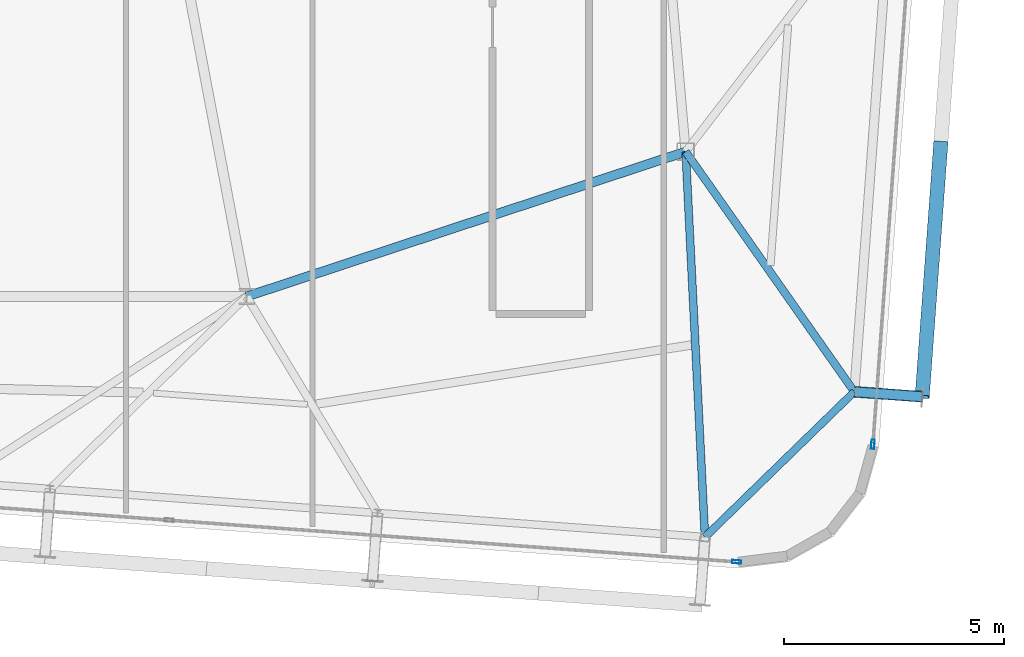
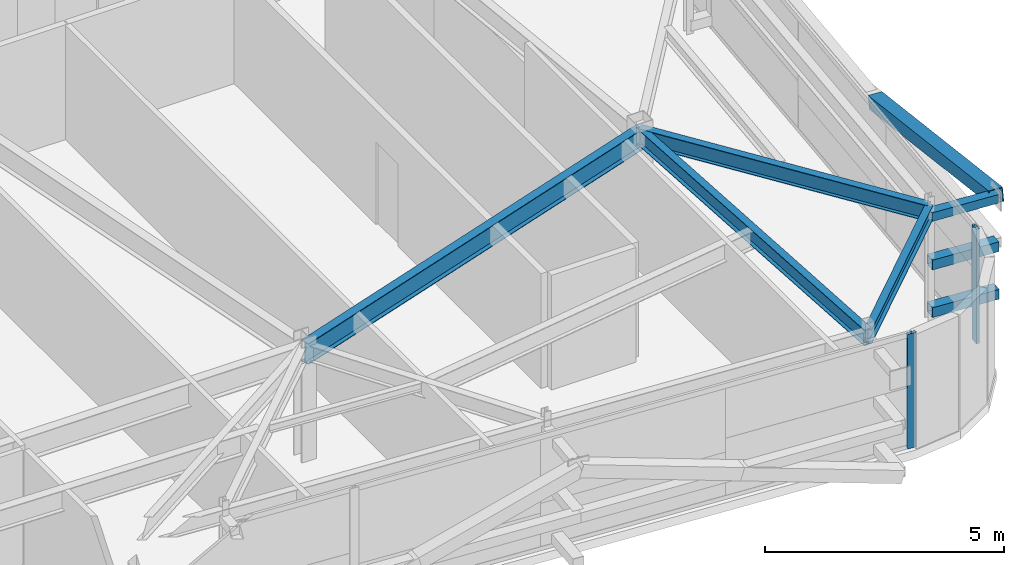
# One storey, part 15 of 34: 6 members, 4 beams, 2 elements without a shape of their own.
"""IFC4 building model written with IfcOpenShell, lengths in metres."""

from ifc_helpers import new_model, si_unit, direction, frame, origin, origin_2d, place, context, subcontext, project, spatial, hollow_rectangle, i_section, extrude, source, transform, mapped, material, layer, layer_set, material_profile, profile_set, type_object, element, aggregate, save


model = new_model("IFC4")

# Units and contexts
model_context = context("Model", 3, precision=1e-05, world=origin(), true_north=direction((0.0, 1.0)))
body_context = subcontext(model_context, "Body", "Model", "MODEL_VIEW")
ifc_project = project(units=[si_unit("LENGTHUNIT", "METRE"), si_unit("AREAUNIT", "SQUARE_METRE"), si_unit("VOLUMEUNIT", "CUBIC_METRE"), si_unit("PLANEANGLEUNIT", "RADIAN"), si_unit("MASSUNIT", "GRAM", prefix="KILO")], contexts=[model_context])

# Site, building, storey
site_placement = place(None, origin())
site = spatial("IfcSite", under=ifc_project, at=site_placement, CompositionType="ELEMENT")
building_placement = place(site_placement, origin())
building = spatial("IfcBuilding", under=site, at=building_placement, Name="Taldren Reach Tower", CompositionType="ELEMENT")
storey_placement = place(building_placement, frame((0.0, 0.0, 239.75)))
storey = spatial("IfcBuildingStorey", under=building, at=storey_placement, Name="L73", CompositionType="ELEMENT", Elevation=239.75)

# Beams
ifc_material_1 = material(Name="Steel Gr 350 (350PLUS)", Category="steel")
ifc_material_profile_1 = material_profile(ifc_material_1, i_section(OverallWidth=0.208984375, OverallDepth=0.532958984375, WebThickness=0.01025390625, FlangeThickness=0.015625, at=origin_2d()), Name="530UB92.4")
ifc_profile_set_1 = profile_set([ifc_material_profile_1], Name="Steel Gr 350 (350PLUS)")
beam_type_1 = type_object("IfcBeamType", Name="BM-UB530A", PredefinedType="BEAM", material=ifc_profile_set_1)
shared_shape_1 = source(origin(), body_context, "Body", "SweptSolid", [
    extrude(i_section(OverallWidth=0.208984375, OverallDepth=0.532958984375, WebThickness=0.01025390625, FlangeThickness=0.015625, at=origin_2d()), origin(), (0.0, 0.0, 1.0), 10.530517578125),
])
beam_1_placement = place(storey_placement, frame((42.0, 9.199951171875, 2.66357421875), z_axis=(0.949627269203, 0.313381635689, 0.0), x_axis=(-0.313381635689, 0.949627269203, 0.0)))
element("IfcBeam", 1, at=beam_1_placement, inside=storey, type_object=beam_type_1, Name="Core-spine girder L73-SP12", PredefinedType="BEAM", context=body_context, shape_type="MappedRepresentation", body=[
    mapped(shared_shape_1, transform((0.0, 0.0, 0.0), scale=1.0)),
])
ifc_material_profile_2 = material_profile(ifc_material_1, i_section(OverallWidth=0.172119140625, OverallDepth=0.35888671875, WebThickness=0.008056640625, FlangeThickness=0.012939453125, at=origin_2d()), Name="360UB56.7")
ifc_profile_set_2 = profile_set([ifc_material_profile_2], Name="Steel Gr 350 (350PLUS)")
beam_type_2 = type_object("IfcBeamType", Name="SP-UB360", PredefinedType="SPANDREL", material=ifc_profile_set_2)
shared_shape_2 = source(origin(), body_context, "Body", "SweptSolid", [
    extrude(i_section(OverallWidth=0.172119140625, OverallDepth=0.35888671875, WebThickness=0.008056640625, FlangeThickness=0.012939453125, at=origin_2d()), origin(), (0.0, 0.0, 1.0), 4.74609375),
])
beam_2_placement = place(storey_placement, frame((52.440185546875, 3.72119140625, 2.75048828125), z_axis=(0.716711338436, 0.697369957309, 0.0), x_axis=(-0.697369957309, 0.716711338436, 0.0)))
element("IfcBeam", 2, at=beam_2_placement, inside=storey, type_object=beam_type_2, Name="Perimeter spandrel B5 S6-E1 L73", PredefinedType="SPANDREL", context=body_context, shape_type="MappedRepresentation", body=[
    mapped(shared_shape_2, transform((0.0, 0.0, 0.0), scale=1.0)),
])
ifc_material_profile_3 = material_profile(ifc_material_1, i_section(OverallWidth=0.177978515625, OverallDepth=0.406005859375, WebThickness=0.0078125, FlangeThickness=0.0126953125, at=origin_2d()), Name="410UB59.7")
ifc_profile_set_3 = profile_set([ifc_material_profile_3], Name="Steel Gr 350 (350PLUS)")
beam_type_3 = type_object("IfcBeamType", Name="BM-UB410", PredefinedType="BEAM", material=ifc_profile_set_3)
shared_shape_3 = source(origin(), body_context, "Body", "SweptSolid", [
    extrude(i_section(OverallWidth=0.177978515625, OverallDepth=0.406005859375, WebThickness=0.0078125, FlangeThickness=0.0126953125, at=origin_2d()), origin(), (0.0, 0.0, 1.0), 8.789794921875),
])
beam_3_placement = place(storey_placement, frame((52.0, 12.5, 2.72705078125), z_axis=(0.050078917367, -0.998745263836, 0.0), x_axis=(0.998745263836, 0.050078917367, 0.0)))
element("IfcBeam", 3, at=beam_3_placement, inside=storey, type_object=beam_type_3, Name="Primary floor girder B5-S6 L73", PredefinedType="BEAM", context=body_context, shape_type="MappedRepresentation", body=[
    mapped(shared_shape_3, transform((0.0, 0.0, 0.0), scale=1.0)),
])
shared_shape_4 = source(origin(), body_context, "Body", "SweptSolid", [
    extrude(i_section(OverallWidth=0.177978515625, OverallDepth=0.406005859375, WebThickness=0.0078125, FlangeThickness=0.0126953125, at=origin_2d()), origin(), (0.0, 0.0, 1.0), 6.68359375),
])
beam_4_placement = place(storey_placement, frame((52.0, 12.5, 2.72705078125), z_axis=(0.574817292651, -0.818281785249, 0.0), x_axis=(0.818281785249, 0.574817292651, 0.0)))
element("IfcBeam", 4, at=beam_4_placement, inside=storey, type_object=beam_type_3, Name="Primary floor girder B5-E1 L73", PredefinedType="BEAM", context=body_context, shape_type="MappedRepresentation", body=[
    mapped(shared_shape_4, transform((0.0, 0.0, 0.0), scale=1.0)),
])

# Members
ifc_material_2 = material(Name="Steel Gr 450 (C450L0)", Category="steel")
ifc_material_profile_4 = material_profile(ifc_material_2, hollow_rectangle(XDim=0.219970703125, YDim=0.219970703125, WallThickness=0.00830078125, at=origin_2d()), Name="220x220x8.2SHS")
ifc_profile_set_4 = profile_set([ifc_material_profile_4], Name="Steel Gr 450 (C450L0)")
member_type_1 = type_object("IfcMemberType", Name="MB-TIE219", PredefinedType="STRUT", material=ifc_profile_set_4)
shared_shape_5 = source(origin(), body_context, "Body", "SweptSolid", [
    extrude(hollow_rectangle(XDim=0.219970703125, YDim=0.219970703125, WallThickness=0.00830078125, at=origin_2d()), origin(), (0.0, 0.0, 1.0), 1.546142578125),
])
member_1_placement = place(storey_placement, frame((55.845703125, 7.030517578125, 2.64990234375), z_axis=(0.997323903953, -0.073109716202, 0.0), x_axis=(0.073109716202, 0.997323903953, 0.0)))
element("IfcMember", 5, at=member_1_placement, inside=storey, type_object=member_type_1, Name="Exoskeleton diaphragm tie strut B5-E1 L73", PredefinedType="STRUT", context=body_context, shape_type="MappedRepresentation", body=[
    mapped(shared_shape_5, transform((0.0, 0.0, 0.0), scale=1.0)),
])
ifc_material_profile_5 = material_profile(ifc_material_2, hollow_rectangle(XDim=0.324951171875, YDim=0.324951171875, WallThickness=0.0126953125, at=origin_2d()), Name="325x325x12.7SHS")
ifc_profile_set_5 = profile_set([ifc_material_profile_5], Name="Steel Gr 450 (C450L0)")
member_type_2 = type_object("IfcMemberType", Name="MB-BR324", PredefinedType="BRACE", material=ifc_profile_set_5)
shared_shape_6 = source(origin(), body_context, "Body", "SweptSolid", [
    extrude(hollow_rectangle(XDim=0.324951171875, YDim=0.324951171875, WallThickness=0.0126953125, at=origin_2d()), origin(), (0.0, 0.0, 1.0), 5.92578125),
])
member_2_placement = place(storey_placement, frame((57.812255859375, 12.701904296875, 1.43505859375), z_axis=(-0.071645553297, -0.976134614303, 0.205007632667), x_axis=(0.997317259472, -0.073200300267, 0.0)))
element("IfcMember", 6, at=member_2_placement, inside=storey, type_object=member_type_2, Name="Exoskeleton Diagrid Brace B5-E1 L73", PredefinedType="BRACE", context=body_context, shape_type="MappedRepresentation", body=[
    mapped(shared_shape_6, transform((0.0, 0.0, 0.0), scale=1.0)),
])
ifc_material_3 = material(Name="Steel Gr 350 (C350L0)", Category="steel")
ifc_material_profile_6 = material_profile(ifc_material_3, hollow_rectangle(XDim=0.25, YDim=0.25, WallThickness=0.010009765625, at=origin_2d()), Name="250x250x10.0SHS")
ifc_profile_set_6 = profile_set([ifc_material_profile_6], Name="Steel Gr 350 (C350L0)")
member_type_3 = type_object("IfcMemberType", Name="MB-POST250", PredefinedType="POST", material=ifc_profile_set_6)
shared_shape_7 = source(origin(), body_context, "Body", "SweptSolid", [
    extrude(hollow_rectangle(XDim=0.25, YDim=0.25, WallThickness=0.010009765625, at=origin_2d()), origin(), (0.0, 0.0, 1.0), 1.546142578125),
])
for number, where, z_axis, x_axis, name in (
    (7, (55.845703125, 7.030517578125, 0.219970703125), (0.997323903953, -0.073109716202, 0.0), (0.073109716202, 0.997323903953, 0.0), "Exoskeleton base diaphragm tie strut B5-E1 L73"),
    (8, (55.845703125, 7.030517578125, 1.43505859375), (0.997323903953, -0.073109716202, 0.0), (0.073109716202, 0.997323903953, 0.0), "Exoskeleton mid-tier diaphragm tie B5-E1 L73"),
):
    element("IfcMember", number, at=place(storey_placement, frame(where, z_axis=z_axis, x_axis=x_axis)), inside=storey, type_object=member_type_3, Name=name, PredefinedType="POST", context=body_context, shape_type="MappedRepresentation", body=[
        mapped(shared_shape_7, transform((0.0, 0.0, 0.0), scale=1.0)),
    ])

# Curtain wall, member
ifc_material_4 = material(Name="Aluminium and Low-E Glass Unitised System", Category="aluminium")
ifc_layer = layer(ifc_material_4, 0.159912109375)
ifc_layer_set = layer_set([ifc_layer], Name="Aluminium and Low-E Glass Unitised System")
curtain_wall_type = type_object("IfcCurtainWallType", Name="CW-SYS-6", PredefinedType="NOTDEFINED", material=ifc_layer_set)
curtain_wall_1_placement = place(storey_placement, origin())
curtain_wall_1 = element("IfcCurtainWall", 9, at=curtain_wall_1_placement, inside=storey, type_object=curtain_wall_type, Name="Unitised curtain wall CW-L73-S", PredefinedType="NOTDEFINED")
ifc_material_5 = material(Name="Anodised Aluminium 6063-T6", Category="aluminium")
ifc_material_profile_7 = material_profile(ifc_material_5, hollow_rectangle(XDim=0.074951171875, YDim=0.2099609375, WallThickness=0.00439453125, at=origin_2d()), Name="ALU-210x75x4.5RHS")
ifc_profile_set_7 = profile_set([ifc_material_profile_7], Name="Anodised Aluminium 6063-T6")
member_type_4 = type_object("IfcMemberType", Name="CW-MUL-200", PredefinedType="MULLION", material=ifc_profile_set_7)
shared_shape_8 = source(origin(), body_context, "Body", "SweptSolid", [
    extrude(hollow_rectangle(XDim=0.074951171875, YDim=0.2099609375, WallThickness=0.00439453125, at=origin_2d()), origin(), (0.0, 0.0, 1.0), 2.929931640625),
])
member_3_placement = place(storey_placement, frame((53.163330078125, 3.15673828125, 0.0), z_axis=(0.0, 0.0, 1.0), x_axis=(0.073238213716, 0.997314476006, 0.0)))
member_3 = element("IfcMember", 10, at=member_3_placement, type_object=member_type_4, Name="CW-6 mullion 4", PredefinedType="MULLION", context=body_context, shape_type="MappedRepresentation", body=[
    mapped(shared_shape_8, transform((0.0, 0.0, 0.0), scale=1.0)),
])
aggregate(curtain_wall_1, [member_3])

curtain_wall_2_placement = place(storey_placement, origin())
curtain_wall_2 = element("IfcCurtainWall", 11, at=curtain_wall_2_placement, inside=storey, type_object=curtain_wall_type, Name="Unitised curtain wall CW-L73-E", PredefinedType="NOTDEFINED")
member_4_placement = place(storey_placement, frame((56.26513671875, 5.834228515625, 0.0), z_axis=(0.0, 0.0, 1.0), x_axis=(-0.997314470951, 0.073238282558, 0.0)))
member_4 = element("IfcMember", 12, at=member_4_placement, type_object=member_type_4, Name="CW-6 mullion 1", PredefinedType="MULLION", context=body_context, shape_type="MappedRepresentation", body=[
    mapped(shared_shape_8, transform((0.0, 0.0, 0.0), scale=1.0)),
])
aggregate(curtain_wall_2, [member_4])

save(model, "model.ifc")
